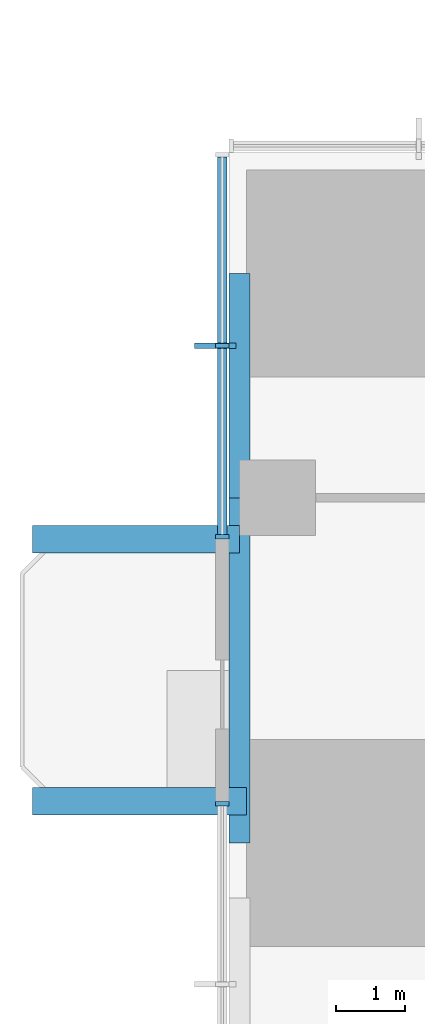
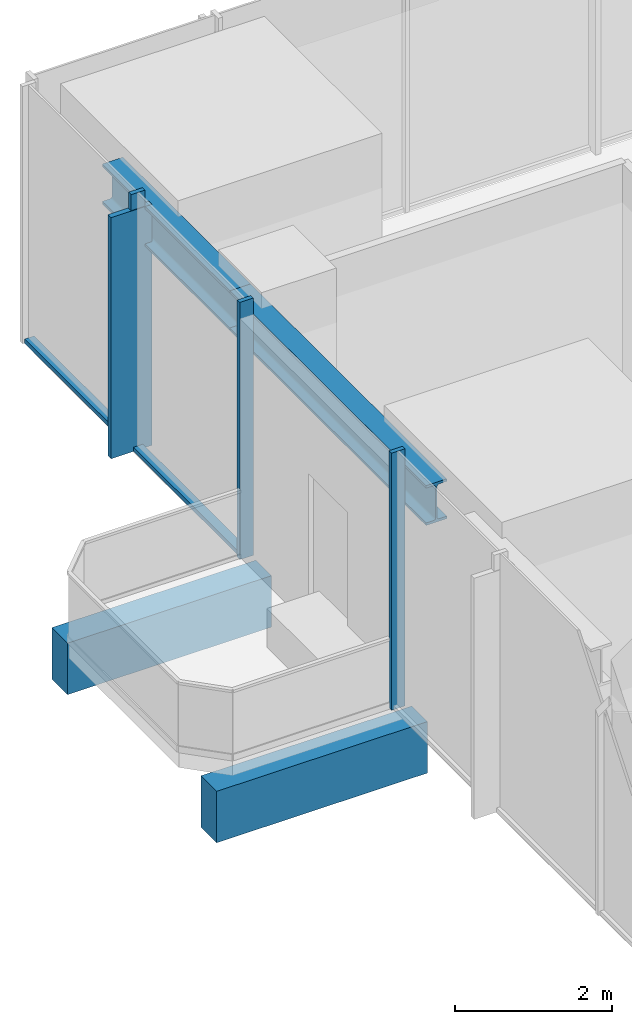
# One storey, part 3 of 13: 6 members, 4 beams, 2 elements without a shape of their own.
"""IFC4 building model written with IfcOpenShell, lengths in metres."""

from ifc_helpers import new_model, si_unit, direction, frame, origin, origin_2d, place, context, subcontext, project, spatial, rectangle, i_section, extrude, material, material_profile, profile_set, type_object, element, aggregate, save


model = new_model("IFC4")

# Units and contexts
model_context = context("Model", 3, precision=1e-05, world=origin(), true_north=direction((0.0, 1.0)))
body_context = subcontext(model_context, "Body", "Model", "MODEL_VIEW")
ifc_project = project(units=[si_unit("LENGTHUNIT", "METRE"), si_unit("AREAUNIT", "SQUARE_METRE"), si_unit("VOLUMEUNIT", "CUBIC_METRE"), si_unit("PLANEANGLEUNIT", "RADIAN"), si_unit("MASSUNIT", "GRAM", prefix="KILO")], contexts=[model_context])

# Site, building, storey
site_placement = place(None, origin())
site = spatial("IfcSite", under=ifc_project, at=site_placement, CompositionType="ELEMENT")
building_placement = place(site_placement, origin())
building = spatial("IfcBuilding", under=site, at=building_placement, Name="Svetlomir Tower", CompositionType="ELEMENT")
storey_placement = place(building_placement, frame((0.0, 0.0, 140.5)))
storey = spatial("IfcBuildingStorey", under=building, at=storey_placement, Name="L33", CompositionType="ELEMENT", Elevation=140.5)

# Beams
ifc_material_1 = material(Name="Concrete C60/75", Category="concrete")
ifc_material_profile_1 = material_profile(ifc_material_1, rectangle(XDim=0.39990234375, YDim=0.800048828125, at=origin_2d()), Name="RC 400x800")
ifc_profile_set_1 = profile_set([ifc_material_profile_1], Name="Concrete C60/75")
beam_type_1 = type_object("IfcBeamType", Name="BALCONY RIB RC 400x800", PredefinedType="BEAM", material=ifc_profile_set_1)
beam_1_placement = place(storey_placement, frame((0.25, 21.60009765625, -0.64990234375), z_axis=(-1.0, 0.0, 0.0), x_axis=(0.0, -1.0, 0.0)))
element("IfcBeam", 1, at=beam_1_placement, inside=storey, type_object=beam_type_1, Name="Balcony rib W 1 L33", PredefinedType="BEAM", context=body_context, shape_type="SweptSolid", body=[
    extrude(rectangle(XDim=0.39990234375, YDim=0.800048828125, at=origin_2d()), origin(), (0.0, 0.0, 1.0), 3.10009765625),
])
beam_2_placement = place(storey_placement, frame((0.14990234375, 25.39990234375, -0.64990234375), z_axis=(-1.0, 0.0, 0.0), x_axis=(0.0, -1.0, 0.0)))
element("IfcBeam", 2, at=beam_2_placement, inside=storey, type_object=beam_type_1, Name="Balcony rib W 2 L33", PredefinedType="BEAM", context=body_context, shape_type="SweptSolid", body=[
    extrude(rectangle(XDim=0.39990234375, YDim=0.800048828125, at=origin_2d()), origin(), (0.0, 0.0, 1.0), 3.0),
])

# Curtain wall, members
ifc_material_2 = material(Name="Bronze anodised aluminium curtain wall", Category="aluminium")
curtain_wall_type = type_object("IfcCurtainWallType", Name="CURTAIN WALL CW1 TOWER OFFICE", PredefinedType="NOTDEFINED", material=ifc_material_2)
curtain_wall_1_placement = place(storey_placement, origin())
curtain_wall_1 = element("IfcCurtainWall", 3, at=curtain_wall_1_placement, inside=storey, type_object=curtain_wall_type, Name="Curtain wall CW1 L33", PredefinedType="NOTDEFINED")
ifc_material_3 = material(Name="Bronze anodised aluminium", Category="aluminium")
ifc_material_profile_2 = material_profile(ifc_material_3, rectangle(XDim=0.080078125, YDim=0.60009765625, at=origin_2d()), Name="FIN 80x600")
ifc_profile_set_2 = profile_set([ifc_material_profile_2], Name="Bronze anodised aluminium 6063-T6")
member_type_1 = type_object("IfcMemberType", Name="BRONZE FIN 80x600", PredefinedType="USERDEFINED", material=ifc_profile_set_2)
member_1_placement = place(storey_placement, frame((-0.199951171875, 28.199951171875, 0.0), z_axis=(0.0, 0.0, 1.0), x_axis=(0.0, 1.0, 0.0)))
member_1 = element("IfcMember", 4, at=member_1_placement, type_object=member_type_1, Name="Bronze fin L33", ObjectType="FIN", PredefinedType="USERDEFINED", context=body_context, shape_type="SweptSolid", body=[
    extrude(rectangle(XDim=0.080078125, YDim=0.60009765625, at=origin_2d()), origin(), (0.0, 0.0, 1.0), 3.75),
])
ifc_material_4 = material(Name="Bronze anodised aluminium", Category="aluminium")
ifc_material_profile_3 = material_profile(ifc_material_4, rectangle(XDim=0.06494140625, YDim=0.199951171875, at=origin_2d()), Name="AL 65x200")
ifc_profile_set_3 = profile_set([ifc_material_profile_3], Name="Bronze anodised aluminium 6063-T6")
member_type_2 = type_object("IfcMemberType", Name="CW1 MULLION 65x200", PredefinedType="MULLION", material=ifc_profile_set_3)
member_2_placement = place(storey_placement, frame((-0.10009765625, 28.199951171875, 0.0), z_axis=(0.0, 0.0, 1.0), x_axis=(0.0, -1.0, 0.0)))
member_2 = element("IfcMember", 5, at=member_2_placement, type_object=member_type_2, Name="CW1 mullion 2", PredefinedType="MULLION", context=body_context, shape_type="SweptSolid", body=[
    extrude(rectangle(XDim=0.06494140625, YDim=0.199951171875, at=origin_2d()), origin(), (0.0, 0.0, 1.0), 4.0),
])
member_3_placement = place(storey_placement, frame((-0.10009765625, 25.4326171875, 0.0), z_axis=(0.0, 0.0, 1.0), x_axis=(0.0, -1.0, 0.0)))
member_3 = element("IfcMember", 6, at=member_3_placement, type_object=member_type_2, Name="CW1 mullion 3", PredefinedType="MULLION", context=body_context, shape_type="SweptSolid", body=[
    extrude(rectangle(XDim=0.06494140625, YDim=0.199951171875, at=origin_2d()), origin(), (0.0, 0.0, 1.0), 4.0),
])

# Curtain wall, member
curtain_wall_2_placement = place(storey_placement, origin())
curtain_wall_2 = element("IfcCurtainWall", 7, at=curtain_wall_2_placement, inside=storey, type_object=curtain_wall_type, Name="Curtain wall CW1 L33", PredefinedType="NOTDEFINED")
member_4_placement = place(storey_placement, frame((-0.10009765625, 21.5673828125, 0.0), z_axis=(0.0, 0.0, 1.0), x_axis=(0.0, -1.0, 0.0)))
member_4 = element("IfcMember", 8, at=member_4_placement, type_object=member_type_2, Name="CW1 mullion 1", PredefinedType="MULLION", context=body_context, shape_type="SweptSolid", body=[
    extrude(rectangle(XDim=0.06494140625, YDim=0.199951171875, at=origin_2d()), origin(), (0.0, 0.0, 1.0), 4.0),
])
aggregate(curtain_wall_2, [member_4])

# Member
ifc_material_5 = material(Name="Bronze anodised aluminium", Category="aluminium")
ifc_material_profile_4 = material_profile(ifc_material_5, rectangle(XDim=0.139892578125, YDim=0.06494140625, at=origin_2d()), Name="AL 140x65")
ifc_profile_set_4 = profile_set([ifc_material_profile_4], Name="Bronze anodised aluminium 6063-T6")
member_type_3 = type_object("IfcMemberType", Name="CW1 TRANSOM 65x140", PredefinedType="USERDEFINED", material=ifc_profile_set_4)
member_5_placement = place(storey_placement, frame((-0.10009765625, 30.93505859375, 0.032470703125), z_axis=(0.0, -1.0, 0.0), x_axis=(1.0, 0.0, 0.0)))
member_5 = element("IfcMember", 9, at=member_5_placement, type_object=member_type_3, Name="CW1 transom 1.1", ObjectType="TRANSOM", PredefinedType="USERDEFINED", context=body_context, shape_type="SweptSolid", body=[
    extrude(rectangle(XDim=0.139892578125, YDim=0.06494140625, at=origin_2d()), origin(), (0.0, 0.0, 1.0), 2.70263671875),
])

member_6_placement = place(storey_placement, frame((-0.10009765625, 28.16748046875, 0.032470703125), z_axis=(0.0, -1.0, 0.0), x_axis=(1.0, 0.0, 0.0)))
member_6 = element("IfcMember", 10, at=member_6_placement, type_object=member_type_3, Name="CW1 transom 2.1", ObjectType="TRANSOM", PredefinedType="USERDEFINED", context=body_context, shape_type="SweptSolid", body=[
    extrude(rectangle(XDim=0.139892578125, YDim=0.06494140625, at=origin_2d()), origin(), (0.0, 0.0, 1.0), 2.702392578125),
])

aggregate(curtain_wall_1, [member_2, member_3, member_5, member_6, member_1])

# Beams
ifc_material_6 = material(Name="Steel S355", Category="steel")
ifc_material_profile_5 = material_profile(ifc_material_6, i_section(OverallWidth=0.304931640625, OverallDepth=0.6201171875, WebThickness=0.02099609375, FlangeThickness=0.0400390625, FilletRadius=0.027099609375, at=origin_2d()), Name="HEM 600")
ifc_profile_set_5 = profile_set([ifc_material_profile_5], Name="Steel S355")
beam_type_2 = type_object("IfcBeamType", Name="EDGE BEAM HEM 600", PredefinedType="SPANDREL", material=ifc_profile_set_5)
beam_3_placement = place(storey_placement, frame((0.152587890625, 21.0, 3.43994140625), z_axis=(0.0, 1.0, 0.0), x_axis=(-1.0, 0.0, 0.0)))
element("IfcBeam", 11, at=beam_3_placement, inside=storey, type_object=beam_type_2, Name="Edge beam 0/21 to 0/26 under L34", PredefinedType="SPANDREL", context=body_context, shape_type="SweptSolid", body=[
    extrude(i_section(OverallWidth=0.304931640625, OverallDepth=0.6201171875, WebThickness=0.02099609375, FlangeThickness=0.0400390625, FilletRadius=0.027099609375, at=origin_2d()), origin(), (0.0, 0.0, 1.0), 5.0),
])
beam_4_placement = place(storey_placement, frame((0.152587890625, 26.0, 3.43994140625), z_axis=(0.0, 1.0, 0.0), x_axis=(-1.0, 0.0, 0.0)))
element("IfcBeam", 12, at=beam_4_placement, inside=storey, type_object=beam_type_2, Name="Edge beam 0/26 to 0/31 under L34", PredefinedType="SPANDREL", context=body_context, shape_type="SweptSolid", body=[
    extrude(i_section(OverallWidth=0.304931640625, OverallDepth=0.6201171875, WebThickness=0.02099609375, FlangeThickness=0.0400390625, FilletRadius=0.027099609375, at=origin_2d()), origin(), (0.0, 0.0, 1.0), 3.25),
])

save(model, "model.ifc")
